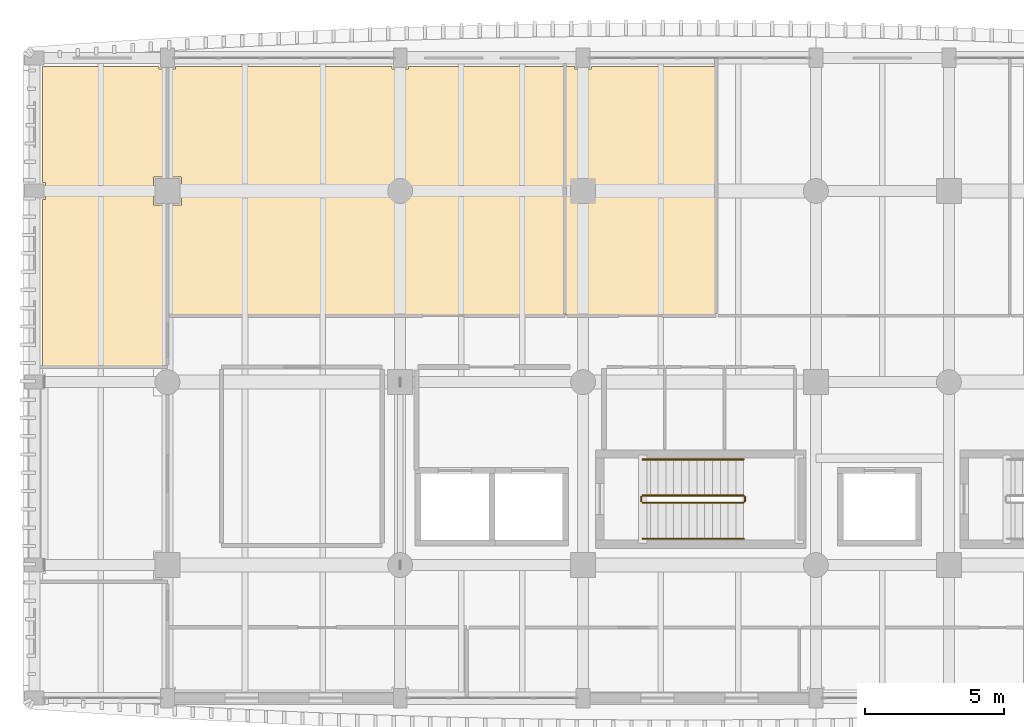
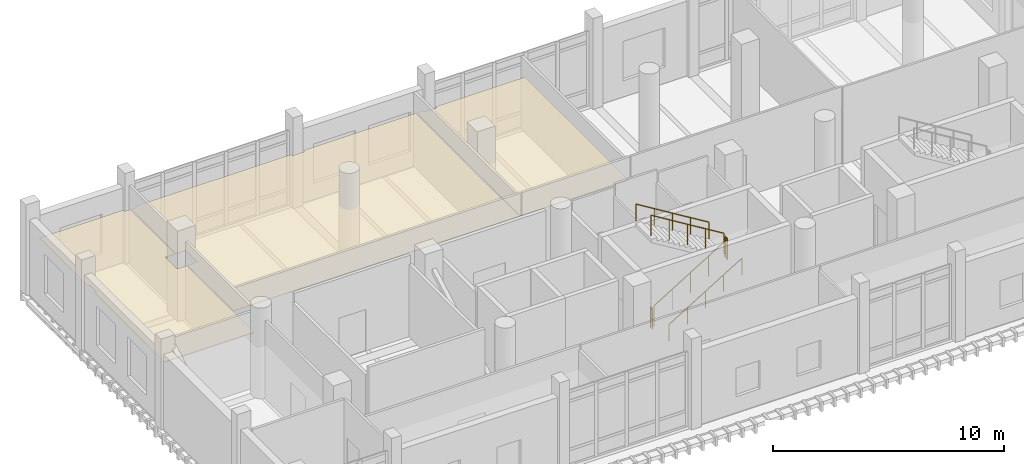
# One storey, part 86 of 101: 6 railings, 3 coverings.
"""IFC4 building model written with IfcOpenShell, lengths in metres."""

from ifc_helpers import new_model, si_unit, direction, frame, origin, origin_2d, place, context, subcontext, project, spatial, polyline, circle, outline, extrude, material, layer, layer_set, type_object, element, save


model = new_model("IFC4")

# Units and contexts
model_context = context("Model", 3, precision=1e-05, world=origin(), true_north=direction((0.0, 1.0)))
body_context = subcontext(model_context, "Body", "Model", "MODEL_VIEW")
ifc_project = project(units=[si_unit("LENGTHUNIT", "METRE"), si_unit("AREAUNIT", "SQUARE_METRE"), si_unit("VOLUMEUNIT", "CUBIC_METRE"), si_unit("PLANEANGLEUNIT", "RADIAN"), si_unit("MASSUNIT", "GRAM", prefix="KILO")], contexts=[model_context])

# Site, building, storey
site_placement = place(None, origin())
site = spatial("IfcSite", under=ifc_project, at=site_placement, CompositionType="ELEMENT")
building_placement = place(site_placement, origin())
building = spatial("IfcBuilding", under=site, at=building_placement, Name="Dornvale Research Institute", CompositionType="ELEMENT")
storey_placement = place(building_placement, frame((0.0, 0.0, 10.199951171875)))
storey = spatial("IfcBuildingStorey", under=building, at=storey_placement, Name="L02", CompositionType="ELEMENT", Elevation=10.199951171875)

# Coverings
ifc_material_1 = material(Name="Mineral-Fibre Acoustic Lay-In Ceiling Tile System")
ifc_layer_1 = layer(ifc_material_1, 0.02001953125)
ifc_layer_set_1 = layer_set([ifc_layer_1], Name="Mineral-Fibre Acoustic Lay-In Ceiling Tile System")
covering_type = type_object("IfcCoveringType", Name="Covering_Acoustic_Ceiling", PredefinedType="CEILING", material=ifc_layer_set_1)
covering_1_placement = place(storey_placement, frame((0.0, 0.0, 2.85009765625)))
element("IfcCovering", 1, at=covering_1_placement, inside=storey, type_object=covering_type, Name="L02 Machine Learning Simulation Laboratory West Alcove suspended ceiling", PredefinedType="CEILING", context=body_context, shape_type="SweptSolid", body=[
    extrude(outline(polyline([(0.300048828125, 110.969970703125), (0.300048828125, 117.0), (0.39990234375, 117.0), (0.39990234375, 117.60009765625), (0.300048828125, 117.60009765625), (0.300048828125, 121.800048828125), (0.39990234375, 121.800048828125), (4.5, 121.800048828125), (4.5, 121.699951171875), (4.780029296875, 121.699951171875), (4.780029296875, 117.800048828125), (4.300048828125, 117.800048828125), (4.300048828125, 116.800048828125), (4.780029296875, 116.800048828125), (4.780029296875, 110.969970703125), (0.300048828125, 110.969970703125)])), origin(), (0.0, 0.0, 1.0), 0.02001953125),
])
covering_2_placement = place(storey_placement, frame((0.0, 0.0, 2.85009765625)))
element("IfcCovering", 2, at=covering_2_placement, inside=storey, type_object=covering_type, Name="L02 Machine Learning Simulation Laboratory suspended ceiling", PredefinedType="CEILING", context=body_context, shape_type="SweptSolid", body=[
    extrude(outline(polyline([(12.89990234375, 121.800048828125), (12.89990234375, 121.699951171875), (13.5, 121.699951171875), (13.5, 121.800048828125), (19.1201171875, 121.800048828125), (19.1201171875, 112.820068359375), (4.820068359375, 112.820068359375), (4.820068359375, 116.800048828125), (5.300048828125, 116.800048828125), (5.300048828125, 117.800048828125), (4.820068359375, 117.800048828125), (4.820068359375, 121.699951171875), (5.10009765625, 121.699951171875), (5.10009765625, 121.800048828125), (12.89990234375, 121.800048828125)])), origin(), (0.0, 0.0, 1.0), 0.02001953125),
])
covering_3_placement = place(storey_placement, frame((0.0, 0.0, 2.85009765625)))
element("IfcCovering", 3, at=covering_3_placement, inside=storey, type_object=covering_type, Name="L02 Seminar Room L02-N suspended ceiling", PredefinedType="CEILING", context=body_context, shape_type="SweptSolid", body=[
    extrude(outline(polyline([(19.159912109375, 112.820068359375), (19.159912109375, 121.800048828125), (19.5, 121.800048828125), (19.5, 121.699951171875), (20.10009765625, 121.699951171875), (20.10009765625, 121.800048828125), (24.580078125, 121.800048828125), (24.580078125, 112.820068359375), (19.159912109375, 112.820068359375)])), origin(), (0.0, 0.0, 1.0), 0.02001953125),
])

# Railings
ifc_material_2 = material(Name="Galvanized Painted Tubular Steel Stair Rail", Category="steel")
ifc_layer_2 = layer(ifc_material_2, 0.050048828125)
ifc_layer_set_2 = layer_set([ifc_layer_2], Name="Galvanized Painted Tubular Steel Stair Rail")
railing_type_1 = type_object("IfcRailingType", Name="Railing_Stair_Guard_1100", PredefinedType="GUARDRAIL", material=ifc_layer_set_2)
railing_1_placement = place(storey_placement, frame((21.949951171875, 106.050048828125, 0.17138671875)))
element("IfcRailing", 4, at=railing_1_placement, inside=storey, type_object=railing_type_1, Name="L02 ST-1 stair guard 1", PredefinedType="GUARDRAIL", context=body_context, shape_type="SweptSolid", body=[
    extrude(circle(Radius=0.02392578125, at=origin_2d()), frame((0.0, 0.0, 1.076171875), z_axis=(0.852840387347, 0.0, 0.522171689878), x_axis=(0.0, 1.0, 0.0)), (0.0, 0.0, 1.0), 4.268310546875),
    extrude(circle(Radius=0.02099609375, at=origin_2d()), origin(), (0.0, 0.0, 1.0), 1.052001953125),
    extrude(circle(Radius=0.02099609375, at=origin_2d()), frame((0.91015625, 0.0, 0.55712890625)), (0.0, 0.0, 1.0), 1.052001953125),
    extrude(circle(Radius=0.02099609375, at=origin_2d()), frame((1.820068359375, 0.0, 1.1142578125)), (0.0, 0.0, 1.0), 1.052001953125),
    extrude(circle(Radius=0.02099609375, at=origin_2d()), frame((2.72998046875, 0.0, 1.671630859375)), (0.0, 0.0, 1.0), 1.052001953125),
    extrude(circle(Radius=0.02099609375, at=origin_2d()), frame((3.64013671875, 0.0, 2.228759765625)), (0.0, 0.0, 1.0), 1.052001953125),
])
railing_2_placement = place(storey_placement, frame((25.639892578125, 106.10009765625, 2.400146484375)))
element("IfcRailing", 5, at=railing_2_placement, inside=storey, type_object=railing_type_1, Name="L02 ST-1 stair guard 2", PredefinedType="GUARDRAIL", context=body_context, shape_type="SweptSolid", body=[
    extrude(circle(Radius=0.02392578125, at=origin_2d()), frame((0.0, 0.0, 1.076171875), z_axis=(0.0, 1.0, 0.0), x_axis=(-1.0, 0.0, 0.0)), (0.0, 0.0, 1.0), 0.159912109375),
    extrude(circle(Radius=0.02099609375, at=origin_2d()), origin(), (0.0, 0.0, 1.0), 1.052001953125),
    extrude(circle(Radius=0.02099609375, at=origin_2d()), frame((0.0, 0.159912109375, 0.0)), (0.0, 0.0, 1.0), 1.052001953125),
])
railing_3_placement = place(storey_placement, frame((25.590087890625, 106.31005859375, 2.571533203125)))
element("IfcRailing", 6, at=railing_3_placement, inside=storey, type_object=railing_type_1, Name="L02 ST-1 stair guard 3", PredefinedType="GUARDRAIL", context=body_context, shape_type="SweptSolid", body=[
    extrude(circle(Radius=0.02392578125, at=origin_2d()), frame((0.0, 0.0, 1.076171875), z_axis=(-0.852865859571, 0.0, 0.52213008492), x_axis=(0.0, -1.0, 0.0)), (0.0, 0.0, 1.0), 4.26806640625),
    extrude(circle(Radius=0.02099609375, at=origin_2d()), origin(), (0.0, 0.0, 1.0), 1.052001953125),
    extrude(circle(Radius=0.02099609375, at=origin_2d()), frame((-0.91015625, 0.0, 0.55712890625)), (0.0, 0.0, 1.0), 1.052001953125),
    extrude(circle(Radius=0.02099609375, at=origin_2d()), frame((-1.820068359375, 0.0, 1.1142578125)), (0.0, 0.0, 1.0), 1.052001953125),
    extrude(circle(Radius=0.02099609375, at=origin_2d()), frame((-2.72998046875, 0.0, 1.67138671875)), (0.0, 0.0, 1.0), 1.052001953125),
    extrude(circle(Radius=0.02099609375, at=origin_2d()), frame((-3.64013671875, 0.0, 2.228515625)), (0.0, 0.0, 1.0), 1.052001953125),
])
railing_4_placement = place(storey_placement, frame((21.89990234375, 106.10009765625, 0.0)))
element("IfcRailing", 7, at=railing_4_placement, inside=storey, type_object=railing_type_1, Name="L02 ST-1 stair guard 4", PredefinedType="GUARDRAIL", context=body_context, shape_type="SweptSolid", body=[
    extrude(circle(Radius=0.02392578125, at=origin_2d()), frame((0.0, 0.0, 1.076171875), z_axis=(0.0, 1.0, 0.0), x_axis=(-1.0, 0.0, 0.0)), (0.0, 0.0, 1.0), 0.159912109375),
    extrude(circle(Radius=0.02099609375, at=origin_2d()), origin(), (0.0, 0.0, 1.0), 1.052001953125),
    extrude(circle(Radius=0.02099609375, at=origin_2d()), frame((0.0, 0.159912109375, 0.0)), (0.0, 0.0, 1.0), 1.052001953125),
])
ifc_material_3 = material(Name="Galvanized Painted Tubular Steel Stair Rail", Category="steel")
ifc_layer_3 = layer(ifc_material_3, 0.044921875)
ifc_layer_set_3 = layer_set([ifc_layer_3], Name="Galvanized Painted Tubular Steel Stair Rail")
railing_type_2 = type_object("IfcRailingType", Name="Railing_Stair_Handrail_900", PredefinedType="HANDRAIL", material=ifc_layer_set_3)
railing_5_placement = place(storey_placement, frame((21.949951171875, 104.75, 0.17138671875)))
element("IfcRailing", 8, at=railing_5_placement, inside=storey, type_object=railing_type_2, Name="L02 ST-1 stair handrail 1", PredefinedType="HANDRAIL", context=body_context, shape_type="SweptSolid", body=[
    extrude(circle(Radius=0.02392578125, at=origin_2d()), frame((0.0, 0.0, 0.8759765625), z_axis=(0.852840387347, 0.0, 0.522171689878), x_axis=(0.0, 1.0, 0.0)), (0.0, 0.0, 1.0), 4.268310546875),
    extrude(circle(Radius=0.02099609375, at=origin_2d()), origin(), (0.0, 0.0, 1.0), 0.851806640625),
    extrude(circle(Radius=0.02099609375, at=origin_2d()), frame((0.91015625, 0.0, 0.55712890625)), (0.0, 0.0, 1.0), 0.851806640625),
    extrude(circle(Radius=0.02099609375, at=origin_2d()), frame((1.820068359375, 0.0, 1.1142578125)), (0.0, 0.0, 1.0), 0.851806640625),
    extrude(circle(Radius=0.02099609375, at=origin_2d()), frame((2.72998046875, 0.0, 1.671630859375)), (0.0, 0.0, 1.0), 0.851806640625),
    extrude(circle(Radius=0.02099609375, at=origin_2d()), frame((3.64013671875, 0.0, 2.228759765625)), (0.0, 0.0, 1.0), 0.851806640625),
])
railing_6_placement = place(storey_placement, frame((25.590087890625, 107.610107421875, 2.571533203125)))
element("IfcRailing", 9, at=railing_6_placement, inside=storey, type_object=railing_type_2, Name="L02 ST-1 stair handrail 2", PredefinedType="HANDRAIL", context=body_context, shape_type="SweptSolid", body=[
    extrude(circle(Radius=0.02392578125, at=origin_2d()), frame((0.0, 0.0, 0.8759765625), z_axis=(-0.852865859571, 0.0, 0.52213008492), x_axis=(0.0, -1.0, 0.0)), (0.0, 0.0, 1.0), 4.26806640625),
    extrude(circle(Radius=0.02099609375, at=origin_2d()), origin(), (0.0, 0.0, 1.0), 0.851806640625),
    extrude(circle(Radius=0.02099609375, at=origin_2d()), frame((-0.91015625, 0.0, 0.55712890625)), (0.0, 0.0, 1.0), 0.851806640625),
    extrude(circle(Radius=0.02099609375, at=origin_2d()), frame((-1.820068359375, 0.0, 1.1142578125)), (0.0, 0.0, 1.0), 0.851806640625),
    extrude(circle(Radius=0.02099609375, at=origin_2d()), frame((-2.72998046875, 0.0, 1.67138671875)), (0.0, 0.0, 1.0), 0.851806640625),
    extrude(circle(Radius=0.02099609375, at=origin_2d()), frame((-3.64013671875, 0.0, 2.228515625)), (0.0, 0.0, 1.0), 0.851806640625),
])

save(model, "model.ifc")
